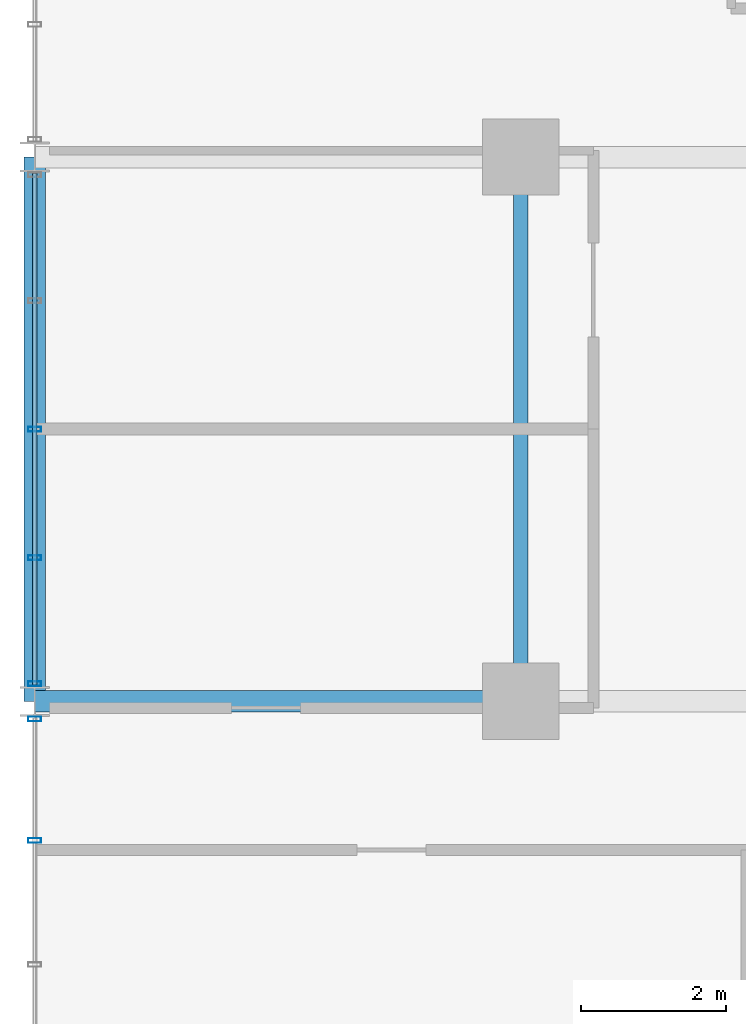
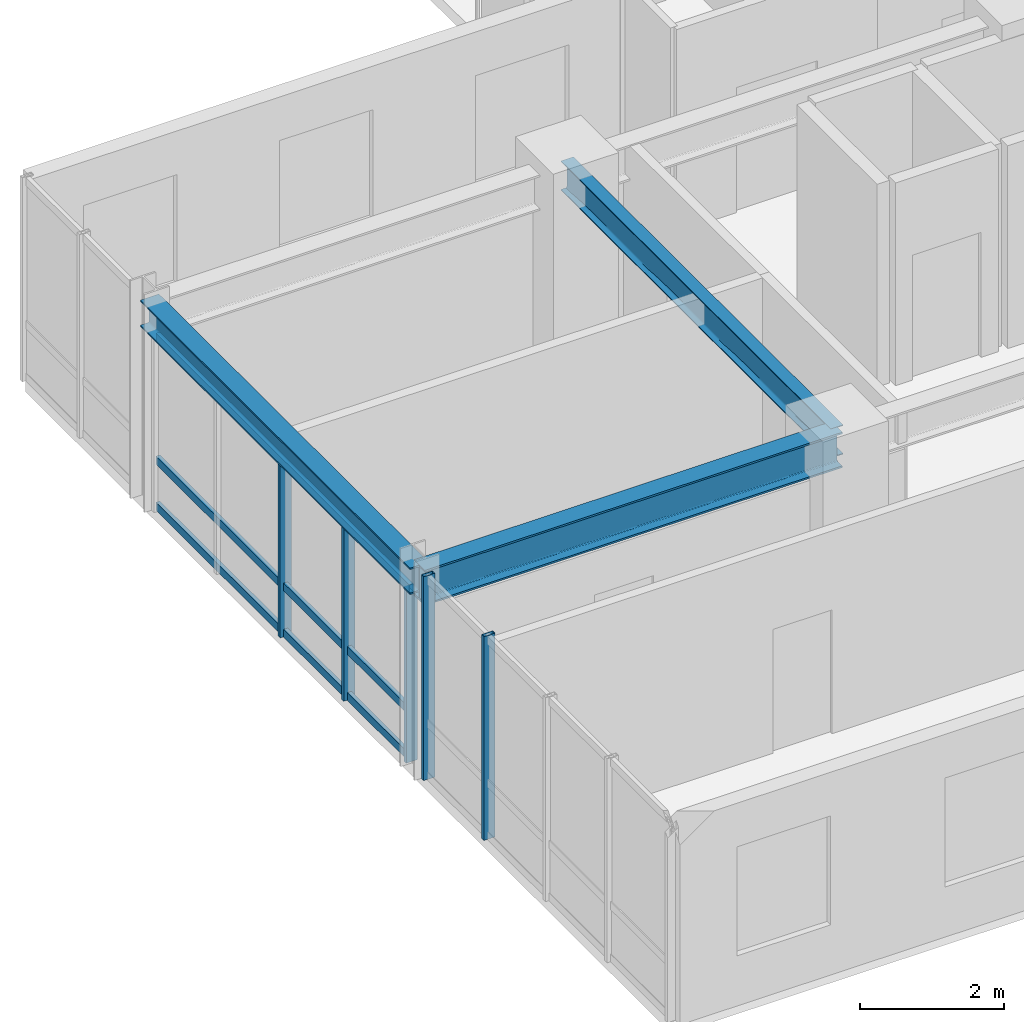
# One storey, part 5 of 18: 8 members, 3 beams, 2 elements without a shape of their own.
"""IFC4 building model written with IfcOpenShell, lengths in metres."""

from ifc_helpers import new_model, si_unit, direction, frame, origin, origin_2d, place, context, subcontext, project, spatial, hollow_rectangle, i_section, extrude, source, transform, mapped, material, layer, layer_set, material_profile, profile_set, type_object, element, aggregate, save


model = new_model("IFC4")

# Units and contexts
model_context = context("Model", 3, precision=1e-05, world=origin(), true_north=direction((0.0, 1.0)))
body_context = subcontext(model_context, "Body", "Model", "MODEL_VIEW")
ifc_project = project(units=[si_unit("LENGTHUNIT", "METRE"), si_unit("AREAUNIT", "SQUARE_METRE"), si_unit("VOLUMEUNIT", "CUBIC_METRE"), si_unit("PLANEANGLEUNIT", "RADIAN"), si_unit("MASSUNIT", "GRAM", prefix="KILO")], contexts=[model_context])

# Site, building, storey
site_placement = place(None, origin())
site = spatial("IfcSite", under=ifc_project, at=site_placement, CompositionType="ELEMENT")
building_placement = place(site_placement, origin())
building = spatial("IfcBuilding", under=site, at=building_placement, Name="Kaliganga Portal Commons", CompositionType="ELEMENT")
storey_placement = place(building_placement, frame((0.0, 0.0, 169.800048828125)))
storey = spatial("IfcBuildingStorey", under=building, at=storey_placement, Name="L43", CompositionType="ELEMENT", Elevation=169.800048828125)

# Beams
ifc_material_1 = material(Name="Structural steel S355J2", Category="steel")
ifc_material_profile_1 = material_profile(ifc_material_1, i_section(OverallWidth=0.199951171875, OverallDepth=0.5, WebThickness=0.01025390625, FlangeThickness=0.01611328125, FilletRadius=0.02099609375, at=origin_2d()), Name="IPE 500")
ifc_profile_set_1 = profile_set([ifc_material_profile_1], Name="Structural steel S355J2 wide-flange")
beam_type_1 = type_object("IfcBeamType", Name="BM-FLR-500", PredefinedType="BEAM", material=ifc_profile_set_1)
shared_shape_1 = source(origin(), body_context, "Body", "SweptSolid", [
    extrude(i_section(OverallWidth=0.199951171875, OverallDepth=0.5, WebThickness=0.01025390625, FlangeThickness=0.01611328125, FilletRadius=0.02099609375, at=origin_2d()), origin(), (0.0, 0.0, 1.0), 7.5),
])
beam_1_placement = place(storey_placement, frame((7.199951171875, 28.64990234375, 3.2099609375), z_axis=(0.0, 1.0, 0.0), x_axis=(-1.0, 0.0, 0.0)))
element("IfcBeam", 1, at=beam_1_placement, inside=storey, type_object=beam_type_1, Name="BM G L43 AW72", PredefinedType="BEAM", context=body_context, shape_type="MappedRepresentation", body=[
    mapped(shared_shape_1, transform((0.0, 0.0, 0.0), x_axis=(1.0, 0.0, 0.0), y_axis=(0.0, 1.0, 0.0), z_axis=(0.0, 0.0, 1.0), scale=1.0)),
])
ifc_material_profile_2 = material_profile(ifc_material_1, i_section(OverallWidth=0.300048828125, OverallDepth=0.449951171875, WebThickness=0.013916015625, FlangeThickness=0.02587890625, FilletRadius=0.027099609375, at=origin_2d()), Name="HE 450 B")
ifc_profile_set_2 = profile_set([ifc_material_profile_2], Name="Structural steel S355J2 wide-flange")
beam_type_2 = type_object("IfcBeamType", Name="BM-SPAND-450", PredefinedType="SPANDREL", material=ifc_profile_set_2)
shared_shape_2 = source(origin(), body_context, "Body", "SweptSolid", [
    extrude(i_section(OverallWidth=0.300048828125, OverallDepth=0.449951171875, WebThickness=0.013916015625, FlangeThickness=0.02587890625, FilletRadius=0.027099609375, at=origin_2d()), origin(), (0.0, 0.0, 1.0), 7.5),
])
beam_2_placement = place(storey_placement, frame((0.5, 28.64990234375, 3.23486328125), z_axis=(0.0, 1.0, 0.0), x_axis=(-1.0, 0.0, 0.0)))
element("IfcBeam", 2, at=beam_2_placement, inside=storey, type_object=beam_type_2, Name="BM SP L43 AW", PredefinedType="SPANDREL", context=body_context, shape_type="MappedRepresentation", body=[
    mapped(shared_shape_2, transform((0.0, 0.0, 0.0), x_axis=(1.0, 0.0, 0.0), y_axis=(0.0, 1.0, 0.0), z_axis=(0.0, 0.0, 1.0), scale=1.0)),
])
ifc_material_profile_3 = material_profile(ifc_material_1, i_section(OverallWidth=0.300048828125, OverallDepth=0.60009765625, WebThickness=0.015380859375, FlangeThickness=0.030029296875, FilletRadius=0.027099609375, at=origin_2d()), Name="HE 600 B")
ifc_profile_set_3 = profile_set([ifc_material_profile_3], Name="Structural steel S355J2 wide-flange")
beam_type_3 = type_object("IfcBeamType", Name="BM-GIRD-600", PredefinedType="USERDEFINED", material=ifc_profile_set_3)
shared_shape_3 = source(origin(), body_context, "Body", "SweptSolid", [
    extrude(i_section(OverallWidth=0.300048828125, OverallDepth=0.60009765625, WebThickness=0.015380859375, FlangeThickness=0.030029296875, FilletRadius=0.027099609375, at=origin_2d()), origin(), (0.0, 0.0, 1.0), 6.699951171875),
])
beam_3_placement = place(storey_placement, frame((0.5, 28.64990234375, 3.159912109375), z_axis=(1.0, 0.0, 0.0), x_axis=(0.0, 1.0, 0.0)))
element("IfcBeam", 3, at=beam_3_placement, inside=storey, type_object=beam_type_3, Name="BM G L43 WAH_S 1", ObjectType="GIRDER", PredefinedType="USERDEFINED", context=body_context, shape_type="MappedRepresentation", body=[
    mapped(shared_shape_3, transform((0.0, 0.0, 0.0), x_axis=(1.0, 0.0, 0.0), y_axis=(0.0, 1.0, 0.0), z_axis=(0.0, 0.0, 1.0), scale=1.0)),
])

# Curtain wall, members
ifc_material_2 = material(Name="Anodized Aluminium and Laminated Low-E Glass", Category="aluminium")
ifc_layer = layer(ifc_material_2, 0.199951171875)
ifc_layer_set = layer_set([ifc_layer], Name="Anodized Aluminium and Laminated Low-E Glass")
curtain_wall_type = type_object("IfcCurtainWallType", Name="CW-SYS-02", PredefinedType="NOTDEFINED", material=ifc_layer_set)
curtain_wall_1_placement = place(storey_placement, origin())
curtain_wall_1 = element("IfcCurtainWall", 4, at=curtain_wall_1_placement, inside=storey, type_object=curtain_wall_type, Name="CW 02 L43 P1E09S3", PredefinedType="NOTDEFINED")
ifc_material_3 = material(Name="Dark Bronze Anodized Aluminium", Category="aluminium")
ifc_material_profile_4 = material_profile(ifc_material_3, hollow_rectangle(XDim=0.06494140625, YDim=0.179931640625, WallThickness=0.00390625, at=origin_2d()), Name="ALU MULL 65x180x4")
ifc_profile_set_4 = profile_set([ifc_material_profile_4], Name="Dark Bronze Anodized Aluminium")
member_type_1 = type_object("IfcMemberType", Name="CW-MUL-180", PredefinedType="MULLION", material=ifc_profile_set_4)
shared_shape_4 = source(origin(), body_context, "Body", "SweptSolid", [
    extrude(hollow_rectangle(XDim=0.06494140625, YDim=0.179931640625, WallThickness=0.00390625, at=origin_2d()), origin(), (0.0, 0.0, 1.0), 3.4599609375),
])
member_1_placement = place(storey_placement, frame((0.5, 28.406982421875, 0.0), z_axis=(0.0, 0.0, 1.0), x_axis=(0.0, -1.0, 0.0)))
member_1 = element("IfcMember", 5, at=member_1_placement, type_object=member_type_1, Name="CW:02:L43:P1E09S3 Mullion 00", PredefinedType="MULLION", context=body_context, shape_type="MappedRepresentation", body=[
    mapped(shared_shape_4, transform((0.0, 0.0, 0.0), x_axis=(1.0, 0.0, 0.0), y_axis=(0.0, 1.0, 0.0), z_axis=(0.0, 0.0, 1.0), scale=1.0)),
])
member_2_placement = place(storey_placement, frame((0.5, 26.7314453125, 0.0), z_axis=(0.0, 0.0, 1.0), x_axis=(0.0, -1.0, 0.0)))
member_2 = element("IfcMember", 6, at=member_2_placement, type_object=member_type_1, Name="CW:02:L43:P1E09S3 Mullion 01", PredefinedType="MULLION", context=body_context, shape_type="MappedRepresentation", body=[
    mapped(shared_shape_4, transform((0.0, 0.0, 0.0), x_axis=(1.0, 0.0, 0.0), y_axis=(0.0, 1.0, 0.0), z_axis=(0.0, 0.0, 1.0), scale=1.0)),
])
aggregate(curtain_wall_1, [member_1, member_2])

curtain_wall_2_placement = place(storey_placement, origin())
curtain_wall_2 = element("IfcCurtainWall", 7, at=curtain_wall_2_placement, inside=storey, type_object=curtain_wall_type, Name="CW 02 L43 P1E09S2", PredefinedType="NOTDEFINED")
shared_shape_5 = source(origin(), body_context, "Body", "SweptSolid", [
    extrude(hollow_rectangle(XDim=0.06494140625, YDim=0.179931640625, WallThickness=0.00390625, at=origin_2d()), origin(), (0.0, 0.0, 1.0), 3.010009765625),
])
member_3_placement = place(storey_placement, frame((0.5, 32.39990234375, 0.0), z_axis=(0.0, 0.0, 1.0), x_axis=(0.0, -1.0, 0.0)))
member_3 = element("IfcMember", 8, at=member_3_placement, type_object=member_type_1, Name="CW:02:L43:P1E09S2 Mullion 02", PredefinedType="MULLION", context=body_context, shape_type="MappedRepresentation", body=[
    mapped(shared_shape_5, transform((0.0, 0.0, 0.0), x_axis=(1.0, 0.0, 0.0), y_axis=(0.0, 1.0, 0.0), z_axis=(0.0, 0.0, 1.0), scale=1.0)),
])
member_4_placement = place(storey_placement, frame((0.5, 30.62890625, 0.0), z_axis=(0.0, 0.0, 1.0), x_axis=(0.0, -1.0, 0.0)))
member_4 = element("IfcMember", 9, at=member_4_placement, type_object=member_type_1, Name="CW:02:L43:P1E09S2 Mullion 03", PredefinedType="MULLION", context=body_context, shape_type="MappedRepresentation", body=[
    mapped(shared_shape_5, transform((0.0, 0.0, 0.0), x_axis=(1.0, 0.0, 0.0), y_axis=(0.0, 1.0, 0.0), z_axis=(0.0, 0.0, 1.0), scale=1.0)),
])
member_5_placement = place(storey_placement, frame((0.5, 28.89306640625, 0.0), z_axis=(0.0, 0.0, 1.0), x_axis=(0.0, -1.0, 0.0)))
member_5 = element("IfcMember", 10, at=member_5_placement, type_object=member_type_1, Name="CW:02:L43:P1E09S2 Mullion 04", PredefinedType="MULLION", context=body_context, shape_type="MappedRepresentation", body=[
    mapped(shared_shape_5, transform((0.0, 0.0, 0.0), x_axis=(1.0, 0.0, 0.0), y_axis=(0.0, 1.0, 0.0), z_axis=(0.0, 0.0, 1.0), scale=1.0)),
])
ifc_material_profile_5 = material_profile(ifc_material_3, hollow_rectangle(XDim=0.06494140625, YDim=0.135009765625, WallThickness=0.00341796875, at=origin_2d()), Name="ALU TRAN 65x135x3.5")
ifc_profile_set_5 = profile_set([ifc_material_profile_5], Name="Dark Bronze Anodized Aluminium")
member_type_2 = type_object("IfcMemberType", Name="CW-TRN-135", PredefinedType="USERDEFINED", material=ifc_profile_set_5)
shared_shape_6 = source(origin(), body_context, "Body", "SweptSolid", [
    extrude(hollow_rectangle(XDim=0.06494140625, YDim=0.135009765625, WallThickness=0.00341796875, at=origin_2d()), origin(), (0.0, 0.0, 1.0), 7.044189453125),
])
member_6_placement = place(storey_placement, frame((0.5, 35.922119140625, 0.06005859375), z_axis=(0.0, -1.0, 0.0), x_axis=(1.0, 0.0, 0.0)))
member_6 = element("IfcMember", 11, at=member_6_placement, type_object=member_type_2, Name="CW:02:L43:P1E09S2 Transom 1", ObjectType="TRANSOM", PredefinedType="USERDEFINED", context=body_context, shape_type="MappedRepresentation", body=[
    mapped(shared_shape_6, transform((0.0, 0.0, 0.0), x_axis=(1.0, 0.0, 0.0), y_axis=(0.0, 1.0, 0.0), z_axis=(0.0, 0.0, 1.0), scale=1.0)),
])
member_7_placement = place(storey_placement, frame((0.5, 35.922119140625, 0.8427734375), z_axis=(0.0, -1.0, 0.0), x_axis=(1.0, 0.0, 0.0)))
member_7 = element("IfcMember", 12, at=member_7_placement, type_object=member_type_2, Name="CW:02:L43:P1E09S2 Transom 2", ObjectType="TRANSOM", PredefinedType="USERDEFINED", context=body_context, shape_type="MappedRepresentation", body=[
    mapped(shared_shape_6, transform((0.0, 0.0, 0.0), x_axis=(1.0, 0.0, 0.0), y_axis=(0.0, 1.0, 0.0), z_axis=(0.0, 0.0, 1.0), scale=1.0)),
])
member_8_placement = place(storey_placement, frame((0.5, 35.922119140625, 2.929931640625), z_axis=(0.0, -1.0, 0.0), x_axis=(1.0, 0.0, 0.0)))
member_8 = element("IfcMember", 13, at=member_8_placement, type_object=member_type_2, Name="CW:02:L43:P1E09S2 Transom 3", ObjectType="TRANSOM", PredefinedType="USERDEFINED", context=body_context, shape_type="MappedRepresentation", body=[
    mapped(shared_shape_6, transform((0.0, 0.0, 0.0), x_axis=(1.0, 0.0, 0.0), y_axis=(0.0, 1.0, 0.0), z_axis=(0.0, 0.0, 1.0), scale=1.0)),
])
aggregate(curtain_wall_2, [member_3, member_4, member_5, member_6, member_7, member_8])

save(model, "model.ifc")
